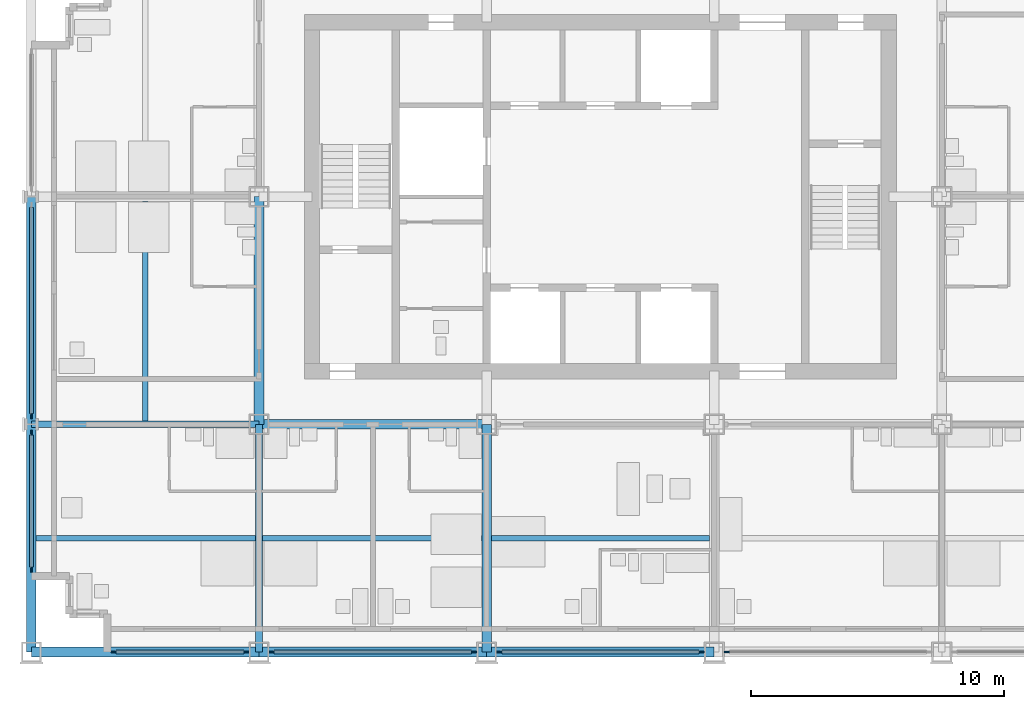
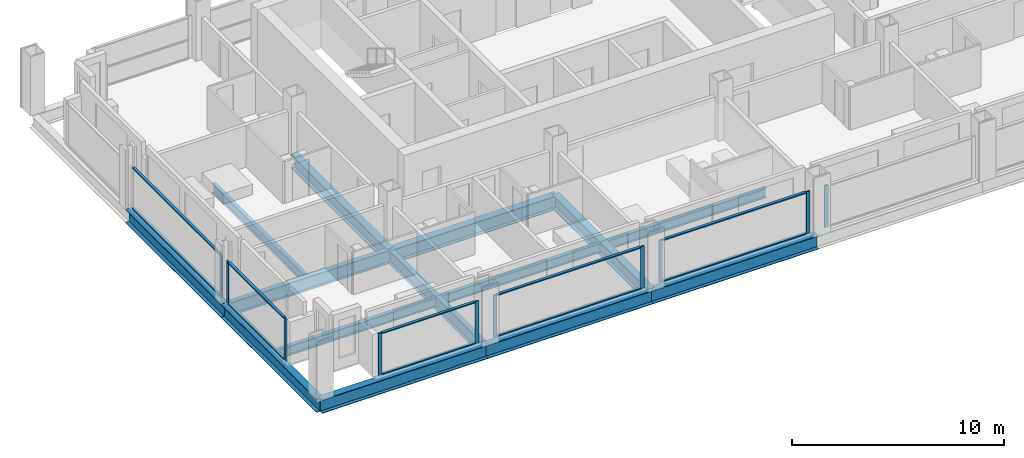
# One storey, part 2 of 13: 20 members, 14 beams, 6 elements without a shape of their own.
"""IFC4 building model written with IfcOpenShell, lengths in metres."""

from ifc_helpers import new_model, si_unit, direction, frame, origin, origin_2d, place, context, subcontext, project, spatial, rectangle, i_section, extrude, material, material_profile, profile_set, type_object, element, aggregate, save


model = new_model("IFC4")

# Units and contexts
model_context = context("Model", 3, precision=1e-05, world=origin(), true_north=direction((0.0, 1.0)))
body_context = subcontext(model_context, "Body", "Model", "MODEL_VIEW")
ifc_project = project(units=[si_unit("LENGTHUNIT", "METRE"), si_unit("AREAUNIT", "SQUARE_METRE"), si_unit("VOLUMEUNIT", "CUBIC_METRE"), si_unit("PLANEANGLEUNIT", "RADIAN"), si_unit("MASSUNIT", "GRAM", prefix="KILO")], contexts=[model_context])

# Site, building, storey
site_placement = place(None, origin())
site = spatial("IfcSite", under=ifc_project, at=site_placement, CompositionType="ELEMENT")
building_placement = place(site_placement, origin())
building = spatial("IfcBuilding", under=site, at=building_placement, Name="Loomwork Tower", CompositionType="ELEMENT")
storey_placement = place(building_placement, frame((0.0, 0.0, 191.0)))
storey = spatial("IfcBuildingStorey", under=building, at=storey_placement, Name="L52", CompositionType="ELEMENT", Elevation=191.0)

# Beams
ifc_material_1 = material(Name="Steel ASTM A992", Category="steel")
ifc_material_profile_1 = material_profile(ifc_material_1, i_section(OverallWidth=0.383544921875, OverallDepth=0.794921875, WebThickness=0.02099609375, FlangeThickness=0.0380859375, at=origin_2d()), Name="W30x235")
ifc_profile_set_1 = profile_set([ifc_material_profile_1], Name="Steel ASTM A992")
beam_type_1 = type_object("IfcBeamType", Name="CORE FLANK GIRDER W30x235", PredefinedType="BEAM", material=ifc_profile_set_1)
for number, where, z_axis, x_axis, name in (
    (1, (9.0, 9.0, -0.597412109375), (1.0, 0.0, 0.0), (0.0, 1.0, 0.0), "Core Flank Girder E/3-E/4 L52"),
    (2, (9.0, 9.0, -0.597412109375), (0.0, 1.0, 0.0), (-1.0, 0.0, 0.0), "Core Flank Girder E/3-F/3 L52"),
    (3, (18.0, 0.0, -0.597412109375), (0.0, 1.0, 0.0), (-1.0, 0.0, 0.0), "Core Flank Girder D/4-E/4 L52"),
):
    element("IfcBeam", number, at=place(storey_placement, frame(where, z_axis=z_axis, x_axis=x_axis)), inside=storey, type_object=beam_type_1, Name=name, PredefinedType="BEAM", context=body_context, shape_type="SweptSolid", body=[
        extrude(i_section(OverallWidth=0.383544921875, OverallDepth=0.794921875, WebThickness=0.02099609375, FlangeThickness=0.0380859375, at=origin_2d()), origin(), (0.0, 0.0, 1.0), 9.0),
    ])
ifc_material_2 = material(Name="Steel ASTM A992", Category="steel")
ifc_material_profile_2 = material_profile(ifc_material_2, i_section(OverallWidth=0.2666015625, OverallDepth=0.761962890625, WebThickness=0.014404296875, FlangeThickness=0.021484375, at=origin_2d()), Name="W30x116")
ifc_profile_set_2 = profile_set([ifc_material_profile_2], Name="Steel ASTM A992")
beam_type_2 = type_object("IfcBeamType", Name="FLOOR GIRDER W30x116", PredefinedType="BEAM", material=ifc_profile_set_2)
for number, where, z_axis, x_axis, name in (
    (4, (0.0, 9.0, -0.5810546875), (1.0, 0.0, 0.0), (0.0, 1.0, 0.0), "Floor Girder E/2-E/3 L52"),
    (5, (9.0, 0.0, -0.5810546875), (0.0, 1.0, 0.0), (-1.0, 0.0, 0.0), "Floor Girder D/3-E/3 L52"),
):
    element("IfcBeam", number, at=place(storey_placement, frame(where, z_axis=z_axis, x_axis=x_axis)), inside=storey, type_object=beam_type_2, Name=name, PredefinedType="BEAM", context=body_context, shape_type="SweptSolid", body=[
        extrude(i_section(OverallWidth=0.2666015625, OverallDepth=0.761962890625, WebThickness=0.014404296875, FlangeThickness=0.021484375, at=origin_2d()), origin(), (0.0, 0.0, 1.0), 9.0),
    ])
ifc_material_3 = material(Name="Steel ASTM A992", Category="steel")
ifc_material_profile_3 = material_profile(ifc_material_3, i_section(OverallWidth=0.2109375, OverallDepth=0.53857421875, WebThickness=0.011474609375, FlangeThickness=0.018798828125, at=origin_2d()), Name="W21x73")
ifc_profile_set_3 = profile_set([ifc_material_profile_3], Name="Steel ASTM A992")
beam_type_3 = type_object("IfcBeamType", Name="FLOOR JOIST W21x73", PredefinedType="JOIST", material=ifc_profile_set_3)
beam_1_placement = place(storey_placement, frame((0.18994140625, 4.5, -0.46923828125), z_axis=(1.0, 0.0, 0.0), x_axis=(0.0, 1.0, 0.0)))
element("IfcBeam", 6, at=beam_1_placement, inside=storey, type_object=beam_type_3, Name="Floor Joist 0.000,4.500-9.000,4.500 L52", PredefinedType="JOIST", context=body_context, shape_type="SweptSolid", body=[
    extrude(i_section(OverallWidth=0.2109375, OverallDepth=0.53857421875, WebThickness=0.011474609375, FlangeThickness=0.018798828125, at=origin_2d()), origin(), (0.0, 0.0, 1.0), 8.677001953125),
])
for number, where, z_axis, x_axis, name in (
    (7, (4.5, 9.133056640625, -0.46923828125), (0.0, 1.0, 0.0), (-1.0, 0.0, 0.0), "Floor Joist 4.500,9.000-4.500,18.000 L52"),
    (8, (9.133056640625, 4.5, -0.46923828125), (1.0, 0.0, 0.0), (0.0, 1.0, 0.0), "Floor Joist 9.000,4.500-18.000,4.500 L52"),
):
    element("IfcBeam", number, at=place(storey_placement, frame(where, z_axis=z_axis, x_axis=x_axis)), inside=storey, type_object=beam_type_3, Name=name, PredefinedType="JOIST", context=body_context, shape_type="SweptSolid", body=[
        extrude(i_section(OverallWidth=0.2109375, OverallDepth=0.53857421875, WebThickness=0.011474609375, FlangeThickness=0.018798828125, at=origin_2d()), origin(), (0.0, 0.0, 1.0), 8.676025390625),
    ])
beam_2_placement = place(storey_placement, frame((18.19091796875, 4.5, -0.46923828125), z_axis=(1.0, 0.0, 0.0), x_axis=(0.0, 1.0, 0.0)))
element("IfcBeam", 9, at=beam_2_placement, inside=storey, type_object=beam_type_3, Name="Floor Joist 18.000,4.500-27.000,4.500 L52", PredefinedType="JOIST", context=body_context, shape_type="SweptSolid", body=[
    extrude(i_section(OverallWidth=0.2109375, OverallDepth=0.53857421875, WebThickness=0.011474609375, FlangeThickness=0.018798828125, at=origin_2d()), origin(), (0.0, 0.0, 1.0), 8.6181640625),
])

# Curtain wall, members
ifc_material_4 = material(Name="Aluminium curtain wall frame", Category="aluminium")
curtain_wall_type = type_object("IfcCurtainWallType", Name="Outer skin glazing hotel", PredefinedType="NOTDEFINED", material=ifc_material_4)
curtain_wall_1_placement = place(storey_placement, origin())
curtain_wall_1 = element("IfcCurtainWall", 10, at=curtain_wall_1_placement, inside=storey, type_object=curtain_wall_type, Name="Outer skin glazing hotel cw/S-0", PredefinedType="NOTDEFINED")
ifc_material_5 = material(Name="Aluminium curtain wall frame", Category="aluminium")
ifc_material_profile_4 = material_profile(ifc_material_5, rectangle(XDim=0.06494140625, YDim=0.199951171875, at=origin_2d()), Name="AL 65x200")
ifc_profile_set_4 = profile_set([ifc_material_profile_4], Name="Aluminium curtain wall frame")
member_type_1 = type_object("IfcMemberType", Name="Outer skin glazing hotel mullion", PredefinedType="MULLION", material=ifc_profile_set_4)
member_1_placement = place(storey_placement, frame((3.25, 0.0, 0.0), z_axis=(0.0, 0.0, 1.0), x_axis=(0.0, 1.0, 0.0)))
member_1 = element("IfcMember", 11, at=member_1_placement, type_object=member_type_1, Name="CW1 mullion 1", PredefinedType="MULLION", context=body_context, shape_type="SweptSolid", body=[
    extrude(rectangle(XDim=0.06494140625, YDim=0.199951171875, at=origin_2d()), origin(), (0.0, 0.0, 1.0), 2.420166015625),
])
member_2_placement = place(storey_placement, frame((8.5, 0.0, 0.0), z_axis=(0.0, 0.0, 1.0), x_axis=(0.0, 1.0, 0.0)))
member_2 = element("IfcMember", 12, at=member_2_placement, type_object=member_type_1, Name="CW1 mullion 2", PredefinedType="MULLION", context=body_context, shape_type="SweptSolid", body=[
    extrude(rectangle(XDim=0.06494140625, YDim=0.199951171875, at=origin_2d()), origin(), (0.0, 0.0, 1.0), 2.420166015625),
])

curtain_wall_2_placement = place(storey_placement, origin())
curtain_wall_2 = element("IfcCurtainWall", 13, at=curtain_wall_2_placement, inside=storey, type_object=curtain_wall_type, Name="Outer skin glazing hotel cw/S-9", PredefinedType="NOTDEFINED")
member_3_placement = place(storey_placement, frame((9.5, 0.0, 0.0), z_axis=(0.0, 0.0, 1.0), x_axis=(0.0, 1.0, 0.0)))
member_3 = element("IfcMember", 14, at=member_3_placement, type_object=member_type_1, Name="CW1 mullion 1", PredefinedType="MULLION", context=body_context, shape_type="SweptSolid", body=[
    extrude(rectangle(XDim=0.06494140625, YDim=0.199951171875, at=origin_2d()), origin(), (0.0, 0.0, 1.0), 2.420166015625),
])
member_4_placement = place(storey_placement, frame((17.5, 0.0, 0.0), z_axis=(0.0, 0.0, 1.0), x_axis=(0.0, 1.0, 0.0)))
member_4 = element("IfcMember", 15, at=member_4_placement, type_object=member_type_1, Name="CW1 mullion 2", PredefinedType="MULLION", context=body_context, shape_type="SweptSolid", body=[
    extrude(rectangle(XDim=0.06494140625, YDim=0.199951171875, at=origin_2d()), origin(), (0.0, 0.0, 1.0), 2.420166015625),
])

curtain_wall_3_placement = place(storey_placement, origin())
curtain_wall_3 = element("IfcCurtainWall", 16, at=curtain_wall_3_placement, inside=storey, type_object=curtain_wall_type, Name="Outer skin glazing hotel cw/S-18", PredefinedType="NOTDEFINED")
member_5_placement = place(storey_placement, frame((18.5, 0.0, 0.0), z_axis=(0.0, 0.0, 1.0), x_axis=(0.0, 1.0, 0.0)))
member_5 = element("IfcMember", 17, at=member_5_placement, type_object=member_type_1, Name="CW1 mullion 1", PredefinedType="MULLION", context=body_context, shape_type="SweptSolid", body=[
    extrude(rectangle(XDim=0.06494140625, YDim=0.199951171875, at=origin_2d()), origin(), (0.0, 0.0, 1.0), 2.420166015625),
])
member_6_placement = place(storey_placement, frame((26.5, 0.0, 0.0), z_axis=(0.0, 0.0, 1.0), x_axis=(0.0, 1.0, 0.0)))
member_6 = element("IfcMember", 18, at=member_6_placement, type_object=member_type_1, Name="CW1 mullion 2", PredefinedType="MULLION", context=body_context, shape_type="SweptSolid", body=[
    extrude(rectangle(XDim=0.06494140625, YDim=0.199951171875, at=origin_2d()), origin(), (0.0, 0.0, 1.0), 2.420166015625),
])

# Curtain wall, member
curtain_wall_4_placement = place(storey_placement, origin())
curtain_wall_4 = element("IfcCurtainWall", 19, at=curtain_wall_4_placement, inside=storey, type_object=curtain_wall_type, Name="Outer skin glazing hotel cw/S-27", PredefinedType="NOTDEFINED")
member_7_placement = place(storey_placement, frame((27.5, 0.0, 0.0), z_axis=(0.0, 0.0, 1.0), x_axis=(0.0, 1.0, 0.0)))
member_7 = element("IfcMember", 20, at=member_7_placement, type_object=member_type_1, Name="CW1 mullion 1", PredefinedType="MULLION", context=body_context, shape_type="SweptSolid", body=[
    extrude(rectangle(XDim=0.06494140625, YDim=0.199951171875, at=origin_2d()), origin(), (0.0, 0.0, 1.0), 2.420166015625),
])
aggregate(curtain_wall_4, [member_7])

# Curtain wall, members
curtain_wall_5_placement = place(storey_placement, origin())
curtain_wall_5 = element("IfcCurtainWall", 21, at=curtain_wall_5_placement, inside=storey, type_object=curtain_wall_type, Name="Outer skin glazing hotel cw/W-0", PredefinedType="NOTDEFINED")
member_8_placement = place(storey_placement, frame((0.0, 8.67529296875, 0.0), z_axis=(0.0, 0.0, 1.0), x_axis=(1.0, 0.0, 0.0)))
member_8 = element("IfcMember", 22, at=member_8_placement, type_object=member_type_1, Name="CW1 mullion 1", PredefinedType="MULLION", context=body_context, shape_type="SweptSolid", body=[
    extrude(rectangle(XDim=0.06494140625, YDim=0.199951171875, at=origin_2d()), origin(), (0.0, 0.0, 1.0), 2.420166015625),
])
member_9_placement = place(storey_placement, frame((0.0, 3.25, 0.0), z_axis=(0.0, 0.0, 1.0), x_axis=(1.0, 0.0, 0.0)))
member_9 = element("IfcMember", 23, at=member_9_placement, type_object=member_type_1, Name="CW1 mullion 2", PredefinedType="MULLION", context=body_context, shape_type="SweptSolid", body=[
    extrude(rectangle(XDim=0.06494140625, YDim=0.199951171875, at=origin_2d()), origin(), (0.0, 0.0, 1.0), 2.420166015625),
])

# Curtain wall, member
curtain_wall_6_placement = place(storey_placement, origin())
curtain_wall_6 = element("IfcCurtainWall", 24, at=curtain_wall_6_placement, inside=storey, type_object=curtain_wall_type, Name="Outer skin glazing hotel cw/W-9", PredefinedType="NOTDEFINED")
member_10_placement = place(storey_placement, frame((0.0, 9.32470703125, 0.0), z_axis=(0.0, 0.0, 1.0), x_axis=(1.0, 0.0, 0.0)))
member_10 = element("IfcMember", 25, at=member_10_placement, type_object=member_type_1, Name="CW1 mullion 2", PredefinedType="MULLION", context=body_context, shape_type="SweptSolid", body=[
    extrude(rectangle(XDim=0.06494140625, YDim=0.199951171875, at=origin_2d()), origin(), (0.0, 0.0, 1.0), 2.420166015625),
])

# Member
ifc_material_6 = material(Name="Aluminium curtain wall frame", Category="aluminium")
ifc_material_profile_5 = material_profile(ifc_material_6, rectangle(XDim=0.14990234375, YDim=0.06494140625, at=origin_2d()), Name="AL 65x150")
ifc_profile_set_5 = profile_set([ifc_material_profile_5], Name="Aluminium curtain wall frame")
member_type_2 = type_object("IfcMemberType", Name="Outer skin glazing hotel transom", PredefinedType="USERDEFINED", material=ifc_profile_set_5)
member_11_placement = place(storey_placement, frame((3.35009765625, 0.0, 0.032470703125), z_axis=(1.0, 0.0, 0.0), x_axis=(0.0, 1.0, 0.0)))
member_11 = element("IfcMember", 26, at=member_11_placement, type_object=member_type_2, Name="CW1 transom 1.1", ObjectType="TRANSOM", PredefinedType="USERDEFINED", context=body_context, shape_type="SweptSolid", body=[
    extrude(rectangle(XDim=0.14990234375, YDim=0.06494140625, at=origin_2d()), origin(), (0.0, 0.0, 1.0), 5.0498046875),
])

member_12_placement = place(storey_placement, frame((3.35009765625, 0.0, 2.3876953125), z_axis=(1.0, 0.0, 0.0), x_axis=(0.0, 1.0, 0.0)))
member_12 = element("IfcMember", 27, at=member_12_placement, type_object=member_type_2, Name="CW1 transom 1.2", ObjectType="TRANSOM", PredefinedType="USERDEFINED", context=body_context, shape_type="SweptSolid", body=[
    extrude(rectangle(XDim=0.14990234375, YDim=0.06494140625, at=origin_2d()), origin(), (0.0, 0.0, 1.0), 5.0498046875),
])

aggregate(curtain_wall_1, [member_1, member_2, member_11, member_12])

member_13_placement = place(storey_placement, frame((9.60009765625, 0.0, 0.032470703125), z_axis=(1.0, 0.0, 0.0), x_axis=(0.0, 1.0, 0.0)))
member_13 = element("IfcMember", 28, at=member_13_placement, type_object=member_type_2, Name="CW1 transom 1.1", ObjectType="TRANSOM", PredefinedType="USERDEFINED", context=body_context, shape_type="SweptSolid", body=[
    extrude(rectangle(XDim=0.14990234375, YDim=0.06494140625, at=origin_2d()), origin(), (0.0, 0.0, 1.0), 7.7998046875),
])

member_14_placement = place(storey_placement, frame((9.60009765625, 0.0, 2.3876953125), z_axis=(1.0, 0.0, 0.0), x_axis=(0.0, 1.0, 0.0)))
member_14 = element("IfcMember", 29, at=member_14_placement, type_object=member_type_2, Name="CW1 transom 1.2", ObjectType="TRANSOM", PredefinedType="USERDEFINED", context=body_context, shape_type="SweptSolid", body=[
    extrude(rectangle(XDim=0.14990234375, YDim=0.06494140625, at=origin_2d()), origin(), (0.0, 0.0, 1.0), 7.7998046875),
])

aggregate(curtain_wall_2, [member_3, member_4, member_13, member_14])

member_15_placement = place(storey_placement, frame((18.60009765625, 0.0, 0.032470703125), z_axis=(1.0, 0.0, 0.0), x_axis=(0.0, 1.0, 0.0)))
member_15 = element("IfcMember", 30, at=member_15_placement, type_object=member_type_2, Name="CW1 transom 1.1", ObjectType="TRANSOM", PredefinedType="USERDEFINED", context=body_context, shape_type="SweptSolid", body=[
    extrude(rectangle(XDim=0.14990234375, YDim=0.06494140625, at=origin_2d()), origin(), (0.0, 0.0, 1.0), 7.7998046875),
])

member_16_placement = place(storey_placement, frame((18.60009765625, 0.0, 2.3876953125), z_axis=(1.0, 0.0, 0.0), x_axis=(0.0, 1.0, 0.0)))
member_16 = element("IfcMember", 31, at=member_16_placement, type_object=member_type_2, Name="CW1 transom 1.2", ObjectType="TRANSOM", PredefinedType="USERDEFINED", context=body_context, shape_type="SweptSolid", body=[
    extrude(rectangle(XDim=0.14990234375, YDim=0.06494140625, at=origin_2d()), origin(), (0.0, 0.0, 1.0), 7.7998046875),
])

aggregate(curtain_wall_3, [member_5, member_6, member_15, member_16])

member_17_placement = place(storey_placement, frame((0.0, 8.5751953125, 0.032470703125), z_axis=(0.0, -1.0, 0.0), x_axis=(1.0, 0.0, 0.0)))
member_17 = element("IfcMember", 32, at=member_17_placement, type_object=member_type_2, Name="CW1 transom 1.1", ObjectType="TRANSOM", PredefinedType="USERDEFINED", context=body_context, shape_type="SweptSolid", body=[
    extrude(rectangle(XDim=0.14990234375, YDim=0.06494140625, at=origin_2d()), origin(), (0.0, 0.0, 1.0), 5.22509765625),
])

member_18_placement = place(storey_placement, frame((0.0, 8.5751953125, 2.3876953125), z_axis=(0.0, -1.0, 0.0), x_axis=(1.0, 0.0, 0.0)))
member_18 = element("IfcMember", 33, at=member_18_placement, type_object=member_type_2, Name="CW1 transom 1.2", ObjectType="TRANSOM", PredefinedType="USERDEFINED", context=body_context, shape_type="SweptSolid", body=[
    extrude(rectangle(XDim=0.14990234375, YDim=0.06494140625, at=origin_2d()), origin(), (0.0, 0.0, 1.0), 5.22509765625),
])

aggregate(curtain_wall_5, [member_8, member_9, member_17, member_18])

member_19_placement = place(storey_placement, frame((0.0, 17.5751953125, 0.032470703125), z_axis=(0.0, -1.0, 0.0), x_axis=(1.0, 0.0, 0.0)))
member_19 = element("IfcMember", 34, at=member_19_placement, type_object=member_type_2, Name="CW1 transom 1.1", ObjectType="TRANSOM", PredefinedType="USERDEFINED", context=body_context, shape_type="SweptSolid", body=[
    extrude(rectangle(XDim=0.14990234375, YDim=0.06494140625, at=origin_2d()), origin(), (0.0, 0.0, 1.0), 8.150390625),
])

member_20_placement = place(storey_placement, frame((0.0, 17.5751953125, 2.3876953125), z_axis=(0.0, -1.0, 0.0), x_axis=(1.0, 0.0, 0.0)))
member_20 = element("IfcMember", 35, at=member_20_placement, type_object=member_type_2, Name="CW1 transom 1.2", ObjectType="TRANSOM", PredefinedType="USERDEFINED", context=body_context, shape_type="SweptSolid", body=[
    extrude(rectangle(XDim=0.14990234375, YDim=0.06494140625, at=origin_2d()), origin(), (0.0, 0.0, 1.0), 8.150390625),
])

aggregate(curtain_wall_6, [member_10, member_19, member_20])

# Beams
ifc_material_7 = material(Name="Steel ASTM A992", Category="steel")
ifc_material_profile_6 = material_profile(ifc_material_7, i_section(OverallWidth=0.381103515625, OverallDepth=0.77978515625, WebThickness=0.01806640625, FlangeThickness=0.0302734375, at=origin_2d()), Name="W30x191")
ifc_profile_set_6 = profile_set([ifc_material_profile_6], Name="Steel ASTM A992")
beam_type_4 = type_object("IfcBeamType", Name="SPANDREL GIRDER W30x191", PredefinedType="SPANDREL", material=ifc_profile_set_6)
for number, where, z_axis, x_axis, name in (
    (36, (0.0, 0.0, -0.58984375), (1.0, 0.0, 0.0), (0.0, 1.0, 0.0), "Spandrel Girder D/2-D/3 L52"),
    (37, (9.0, 0.0, -0.58984375), (1.0, 0.0, 0.0), (0.0, 1.0, 0.0), "Spandrel Girder D/3-D/4 L52"),
    (38, (18.0, 0.0, -0.58984375), (1.0, 0.0, 0.0), (0.0, 1.0, 0.0), "Spandrel Girder D/4-D/5 L52"),
    (39, (0.0, 0.0, -0.58984375), (0.0, 1.0, 0.0), (-1.0, 0.0, 0.0), "Spandrel Girder D/2-E/2 L52"),
    (40, (0.0, 9.0, -0.58984375), (0.0, 1.0, 0.0), (-1.0, 0.0, 0.0), "Spandrel Girder E/2-F/2 L52"),
):
    element("IfcBeam", number, at=place(storey_placement, frame(where, z_axis=z_axis, x_axis=x_axis)), inside=storey, type_object=beam_type_4, Name=name, PredefinedType="SPANDREL", context=body_context, shape_type="SweptSolid", body=[
        extrude(i_section(OverallWidth=0.381103515625, OverallDepth=0.77978515625, WebThickness=0.01806640625, FlangeThickness=0.0302734375, at=origin_2d()), origin(), (0.0, 0.0, 1.0), 9.0),
    ])

save(model, "model.ifc")
